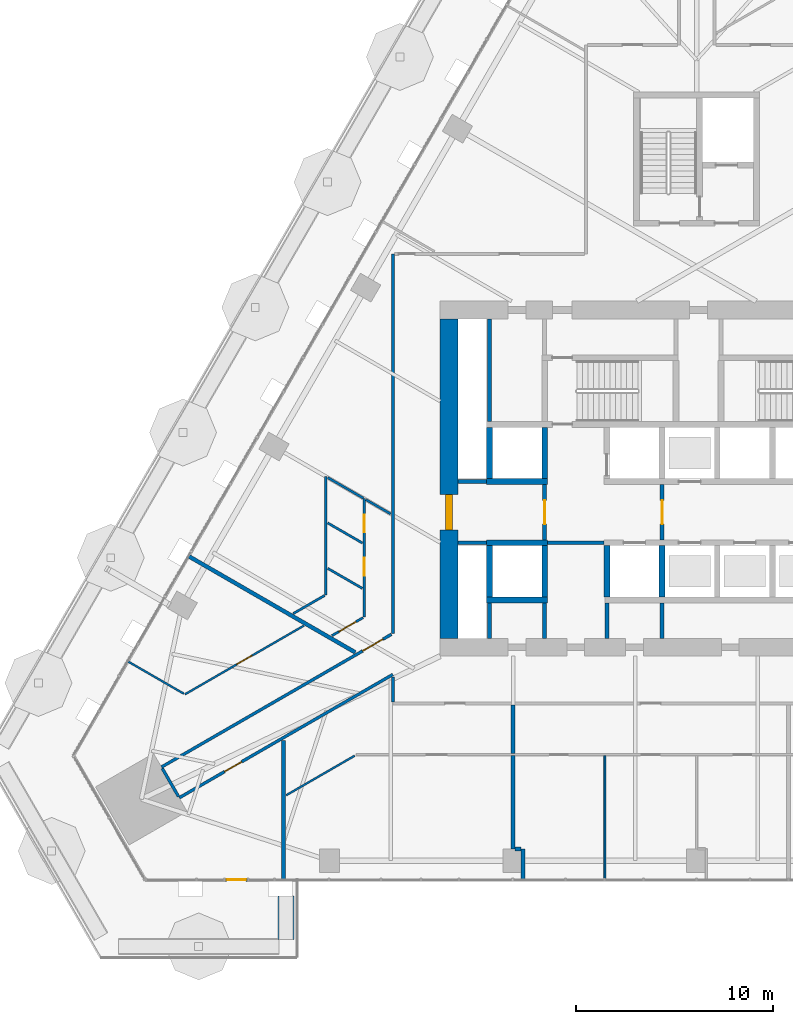
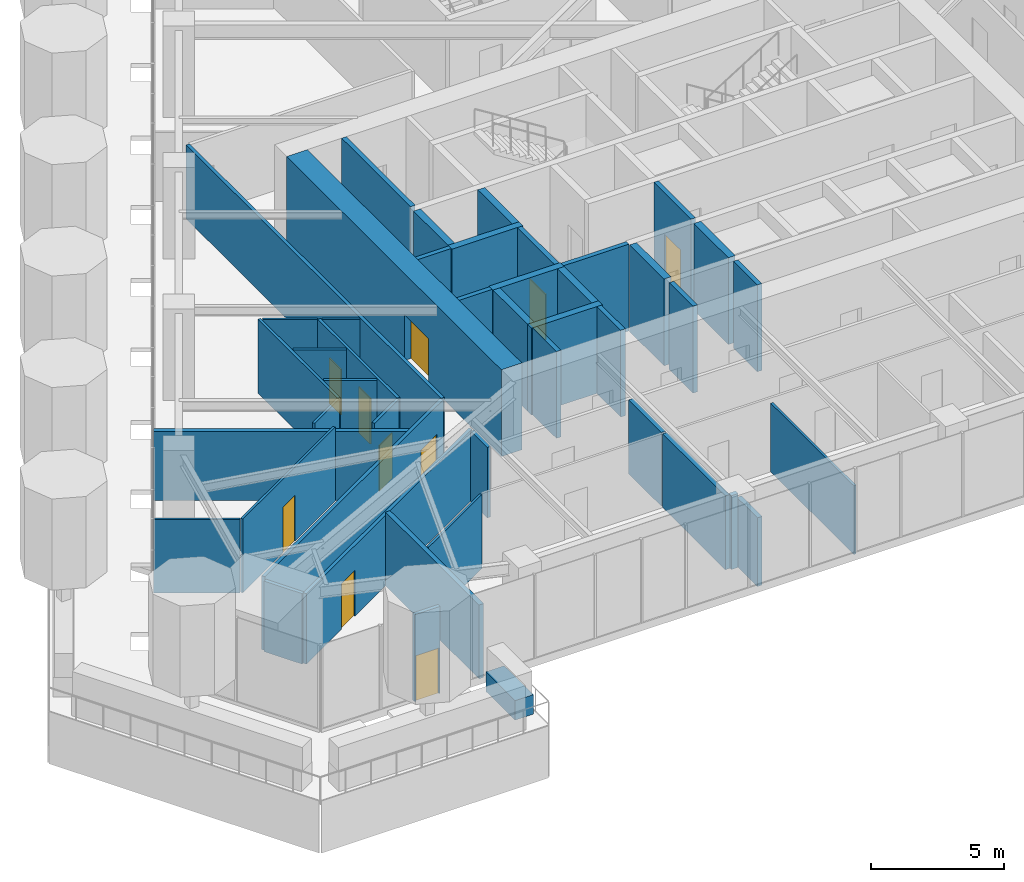
# One storey, part 17 of 25: 45 walls, 10 doors, 10 openings, 1 element without a shape of its own.
"""IFC4 building model written with IfcOpenShell, lengths in metres."""

from ifc_helpers import new_model, si_unit, direction, frame, frame_2d, origin, place, context, subcontext, project, spatial, rectangle, extrude, material, layer, layer_set, type_object, element, fill, aggregate, save


model = new_model("IFC4")

# Units and contexts
model_context = context("Model", 3, precision=1e-05, world=origin(), true_north=direction((0.0, 1.0)))
body_context = subcontext(model_context, "Body", "Model", "MODEL_VIEW")
ifc_project = project(units=[si_unit("LENGTHUNIT", "METRE"), si_unit("AREAUNIT", "SQUARE_METRE"), si_unit("VOLUMEUNIT", "CUBIC_METRE"), si_unit("PLANEANGLEUNIT", "RADIAN"), si_unit("MASSUNIT", "GRAM", prefix="KILO")], contexts=[model_context])

# Site, building, storey
site_placement = place(None, origin())
site = spatial("IfcSite", under=ifc_project, at=site_placement, CompositionType="ELEMENT")
building_placement = place(site_placement, origin())
building = spatial("IfcBuilding", under=site, at=building_placement, Name="Firuza Gate Tower and Library", CompositionType="ELEMENT")
storey_placement = place(building_placement, frame((0.0, 0.0, 119.800048828125)))
storey = spatial("IfcBuildingStorey", under=building, at=storey_placement, Name="L27", CompositionType="ELEMENT", Elevation=119.800048828125)

# Walls
ifc_material_1 = material(Name="Plasterboard on steel studs", Category="steel")
ifc_layer_1 = layer(ifc_material_1, 0.199951171875)
ifc_layer_set_1 = layer_set([ifc_layer_1], Name="Core partition 200 EI 120")
wall_type_1 = type_object("IfcWallType", Name="Core partition 200 EI 120", PredefinedType="PARTITIONING", material=ifc_layer_set_1)
wall_1_placement = place(storey_placement, frame((62.89990234375, 71.75, 0.0), z_axis=(0.0, 0.0, 1.0), x_axis=(1.0, 0.0, 0.0)))
element("IfcWall", 1, at=wall_1_placement, inside=storey, type_object=wall_type_1, Name="Core partition L27 1", PredefinedType="PARTITIONING", context=body_context, shape_type="SweptSolid", body=[
    extrude(rectangle(XDim=1.4501953125, YDim=0.199951171875, at=frame_2d((0.72509765625, 0.0))), origin(), (0.0, 0.0, 1.0), 4.0),
])
wall_2_placement = place(storey_placement, frame((67.449951171875, 71.75, 0.0), z_axis=(0.0, 0.0, 1.0), x_axis=(1.0, 0.0, 0.0)))
element("IfcWall", 2, at=wall_2_placement, inside=storey, type_object=wall_type_1, Name="Core partition L27 2", PredefinedType="PARTITIONING", context=body_context, shape_type="SweptSolid", body=[
    extrude(rectangle(XDim=2.85009765625, YDim=0.199951171875, at=frame_2d((1.425048828125, 0.0))), origin(), (0.0, 0.0, 1.0), 4.0),
])
wall_3_placement = place(storey_placement, frame((62.89990234375, 74.85009765625, 0.0), z_axis=(0.0, 0.0, 1.0), x_axis=(1.0, 0.0, 0.0)))
element("IfcWall", 3, at=wall_3_placement, inside=storey, type_object=wall_type_1, Name="Core partition L27 3", PredefinedType="PARTITIONING", context=body_context, shape_type="SweptSolid", body=[
    extrude(rectangle(XDim=1.4501953125, YDim=0.199951171875, at=frame_2d((0.72509765625, 0.0))), origin(), (0.0, 0.0, 1.0), 4.0),
])
wall_4_placement = place(storey_placement, frame((64.5, 66.89990234375, 0.0), z_axis=(0.0, 0.0, 1.0), x_axis=(0.0, 1.0, 0.0)))
element("IfcWall", 4, at=wall_4_placement, inside=storey, type_object=wall_type_1, Name="Core partition L27 5", PredefinedType="PARTITIONING", context=body_context, shape_type="SweptSolid", body=[
    extrude(rectangle(XDim=1.800048828125, YDim=0.199951171875, at=frame_2d((0.89990234375, 0.0))), origin(), (0.0, 0.0, 1.0), 4.0),
])
wall_5_placement = place(storey_placement, frame((64.5, 77.89990234375, 0.0), z_axis=(0.0, 0.0, 1.0), x_axis=(0.0, 1.0, 0.0)))
element("IfcWall", 5, at=wall_5_placement, inside=storey, type_object=wall_type_1, Name="Core partition L27 6", PredefinedType="PARTITIONING", context=body_context, shape_type="SweptSolid", body=[
    extrude(rectangle(XDim=5.2001953125, YDim=0.199951171875, at=frame_2d((2.60009765625, 0.0))), origin(), (0.0, 0.0, 1.0), 4.0),
])
for number, where, z_axis, x_axis, name in (
    (6, (67.300048828125, 66.89990234375, 0.0), (0.0, 0.0, 1.0), (0.0, 1.0, 0.0), "Core partition L27 7"),
    (7, (70.449951171875, 66.89990234375, 0.0), (0.0, 0.0, 1.0), (0.0, 1.0, 0.0), "Core partition L27 10"),
    (8, (73.25, 66.89990234375, 0.0), (0.0, 0.0, 1.0), (0.0, 1.0, 0.0), "Core partition L27 11"),
):
    element("IfcWall", number, at=place(storey_placement, frame(where, z_axis=z_axis, x_axis=x_axis)), inside=storey, type_object=wall_type_1, Name=name, PredefinedType="PARTITIONING", context=body_context, shape_type="SweptSolid", body=[
        extrude(rectangle(XDim=1.800048828125, YDim=0.199951171875, at=frame_2d((0.89990234375, 0.0))), origin(), (0.0, 0.0, 1.0), 4.0),
    ])

# Wall, opening, door
ifc_material_2 = material(Name="Plasterboard on steel studs", Category="steel")
ifc_layer_2 = layer(ifc_material_2, 0.199951171875)
ifc_layer_set_2 = layer_set([ifc_layer_2], Name="Core partition 200 EI 60")
wall_type_2 = type_object("IfcWallType", Name="Core partition 200 EI 60", PredefinedType="PARTITIONING", material=ifc_layer_set_2)
wall_6_placement = place(storey_placement, frame((67.300048828125, 71.89990234375, 0.0), z_axis=(0.0, 0.0, 1.0), x_axis=(0.0, 1.0, 0.0)))
wall_6 = element("IfcWall", 9, at=wall_6_placement, inside=storey, type_object=wall_type_2, Name="Core partition L27 8", PredefinedType="PARTITIONING", context=body_context, shape_type="SweptSolid", body=[
    extrude(rectangle(XDim=2.800048828125, YDim=0.199951171875, at=frame_2d((1.39990234375, 0.0))), origin(), (0.0, 0.0, 1.0), 4.0),
])
opening_1_placement = place(wall_6_placement, frame((0.800048828125, 0.0, 0.0)))
opening_1 = element("IfcOpeningElement", 10, at=opening_1_placement, cuts=wall_6, Name="Opening L27-K21", PredefinedType="OPENING", context=body_context, shape_type="SweptSolid", body=[
    extrude(rectangle(XDim=1.199951171875, YDim=2.10009765625, at=frame_2d((0.60009765625, 1.050048828125))), frame((0.0, 0.10986328125, 0.0), z_axis=(0.0, -1.0, 0.0), x_axis=(1.0, 0.0, 0.0)), (0.0, 0.0, 1.0), 0.219970703125),
])
ifc_material_3 = material(Name="Steel", Category="steel")
door_type_1 = type_object("IfcDoorType", Name="Fire door 1200x2100 FD90S", OperationType="NOTDEFINED", PredefinedType="DOOR", material=ifc_material_3)
door_1_placement = place(opening_1_placement, origin())
door_1 = element("IfcDoor", 11, at=door_1_placement, inside=storey, type_object=door_type_1, Name="Door L27-K21", OperationType="SINGLE_SWING_RIGHT", OverallHeight=2.10009765625, OverallWidth=1.199951171875, PredefinedType="DOOR", context=body_context, shape_type="SweptSolid", body=[
    extrude(rectangle(XDim=1.199951171875, YDim=2.10009765625, at=frame_2d((0.60009765625, 1.050048828125))), frame((0.0, 0.02490234375, 0.0), z_axis=(0.0, -1.0, 0.0), x_axis=(1.0, 0.0, 0.0)), (0.0, 0.0, 1.0), 0.050048828125),
])
fill(opening_1, door_1)

wall_7_placement = place(storey_placement, frame((73.25, 71.89990234375, 0.0), z_axis=(0.0, 0.0, 1.0), x_axis=(0.0, 1.0, 0.0)))
wall_7 = element("IfcWall", 12, at=wall_7_placement, inside=storey, type_object=wall_type_2, Name="Core partition L27 12", PredefinedType="PARTITIONING", context=body_context, shape_type="SweptSolid", body=[
    extrude(rectangle(XDim=2.800048828125, YDim=0.199951171875, at=frame_2d((1.39990234375, 0.0))), origin(), (0.0, 0.0, 1.0), 4.0),
])
opening_2_placement = place(wall_7_placement, frame((0.800048828125, 0.0, 0.0)))
opening_2 = element("IfcOpeningElement", 13, at=opening_2_placement, cuts=wall_7, Name="Opening L27-K20", PredefinedType="OPENING", context=body_context, shape_type="SweptSolid", body=[
    extrude(rectangle(XDim=1.199951171875, YDim=2.10009765625, at=frame_2d((0.60009765625, 1.050048828125))), frame((0.0, 0.10986328125, 0.0), z_axis=(0.0, -1.0, 0.0), x_axis=(1.0, 0.0, 0.0)), (0.0, 0.0, 1.0), 0.219970703125),
])
door_2_placement = place(opening_2_placement, origin())
door_2 = element("IfcDoor", 14, at=door_2_placement, inside=storey, type_object=door_type_1, Name="Door L27-K20", OperationType="SINGLE_SWING_LEFT", OverallHeight=2.10009765625, OverallWidth=1.199951171875, PredefinedType="DOOR", context=body_context, shape_type="SweptSolid", body=[
    extrude(rectangle(XDim=1.199951171875, YDim=2.10009765625, at=frame_2d((0.60009765625, 1.050048828125))), frame((0.0, 0.02490234375, 0.0), z_axis=(0.0, -1.0, 0.0), x_axis=(1.0, 0.0, 0.0)), (0.0, 0.0, 1.0), 0.050048828125),
])
fill(opening_2, door_2)

# Walls
ifc_material_4 = material(Name="Concrete C80/95", Category="concrete")
ifc_layer_3 = layer(ifc_material_4, 0.300048828125)
ifc_layer_set_3 = layer_set([ifc_layer_3], Name="Core wall 300 C80/95")
wall_type_3 = type_object("IfcWallType", Name="Core wall 300 C80/95", PredefinedType="SHEAR", material=ifc_layer_set_3)
for number, where, z_axis, x_axis, name in (
    (15, (64.35009765625, 68.85009765625, 0.0), (0.0, 0.0, 1.0), (1.0, 0.0, 0.0), "Core wall L27 5"),
    (16, (64.35009765625, 71.75, 0.0), (0.0, 0.0, 1.0), (1.0, 0.0, 0.0), "Core wall L27 7"),
    (17, (64.35009765625, 74.85009765625, 0.0), (0.0, 0.0, 1.0), (1.0, 0.0, 0.0), "Core wall L27 9"),
):
    element("IfcWall", number, at=place(storey_placement, frame(where, z_axis=z_axis, x_axis=x_axis)), inside=storey, type_object=wall_type_3, Name=name, PredefinedType="SHEAR", context=body_context, shape_type="SweptSolid", body=[
        extrude(rectangle(XDim=3.099853515625, YDim=0.300048828125, at=frame_2d((1.5498046875, 0.0))), origin(), (0.0, 0.0, 1.0), 4.0),
    ])
for number, where, z_axis, x_axis, name in (
    (18, (64.5, 69.0, 0.0), (0.0, 0.0, 1.0), (0.0, 1.0, 0.0), "Core wall L27 11"),
    (19, (64.5, 75.0, 0.0), (0.0, 0.0, 1.0), (0.0, 1.0, 0.0), "Core wall L27 12"),
    (20, (67.300048828125, 69.0, 0.0), (0.0, 0.0, 1.0), (0.0, 1.0, 0.0), "Core wall L27 13"),
    (21, (67.300048828125, 75.0, 0.0), (0.0, 0.0, 1.0), (0.0, 1.0, 0.0), "Core wall L27 14"),
    (22, (70.449951171875, 69.0, 0.0), (0.0, 0.0, 1.0), (0.0, 1.0, 0.0), "Core wall L27 15"),
    (23, (73.25, 69.0, 0.0), (0.0, 0.0, 1.0), (0.0, 1.0, 0.0), "Core wall L27 17"),
):
    element("IfcWall", number, at=place(storey_placement, frame(where, z_axis=z_axis, x_axis=x_axis)), inside=storey, type_object=wall_type_3, Name=name, PredefinedType="SHEAR", context=body_context, shape_type="SweptSolid", body=[
        extrude(rectangle(XDim=2.60009765625, YDim=0.300048828125, at=frame_2d((1.300048828125, 0.0))), origin(), (0.0, 0.0, 1.0), 4.0),
    ])

# Wall, opening, door
ifc_material_5 = material(Name="Concrete C80/95", Category="concrete")
ifc_layer_4 = layer(ifc_material_5, 0.89990234375)
ifc_layer_set_4 = layer_set([ifc_layer_4], Name="Core wall 900 C80/95")
wall_type_4 = type_object("IfcWallType", Name="Core wall 900 C80/95", PredefinedType="SHEAR", material=ifc_layer_set_4)
wall_8_placement = place(storey_placement, frame((62.449951171875, 66.89990234375, 0.0), z_axis=(0.0, 0.0, 1.0), x_axis=(0.0, 1.0, 0.0)))
wall_8 = element("IfcWall", 24, at=wall_8_placement, inside=storey, type_object=wall_type_4, Name="Core wall L27 3", PredefinedType="SHEAR", context=body_context, shape_type="SweptSolid", body=[
    extrude(rectangle(XDim=16.2001953125, YDim=0.89990234375, at=frame_2d((8.10009765625, 0.0))), origin(), (0.0, 0.0, 1.0), 4.0),
])
opening_3_placement = place(wall_8_placement, frame((5.5, 0.0, 0.0)))
opening_3 = element("IfcOpeningElement", 25, at=opening_3_placement, cuts=wall_8, Name="Opening L27-K22", PredefinedType="OPENING", context=body_context, shape_type="SweptSolid", body=[
    extrude(rectangle(XDim=1.800048828125, YDim=2.10009765625, at=frame_2d((0.89990234375, 1.050048828125))), frame((0.0, 0.4599609375, 0.0), z_axis=(0.0, -1.0, 0.0), x_axis=(1.0, 0.0, 0.0)), (0.0, 0.0, 1.0), 0.919921875),
])
ifc_material_6 = material(Name="Steel", Category="steel")
door_type_2 = type_object("IfcDoorType", Name="Fire door 1800x2100 FD30S", OperationType="NOTDEFINED", PredefinedType="DOOR", material=ifc_material_6)
door_3_placement = place(opening_3_placement, origin())
door_3 = element("IfcDoor", 26, at=door_3_placement, inside=storey, type_object=door_type_2, Name="Door L27-K22", OperationType="SINGLE_SWING_LEFT", OverallHeight=2.10009765625, OverallWidth=1.800048828125, PredefinedType="DOOR", context=body_context, shape_type="SweptSolid", body=[
    extrude(rectangle(XDim=1.800048828125, YDim=2.10009765625, at=frame_2d((0.89990234375, 1.050048828125))), frame((0.0, 0.169921875, 0.0), z_axis=(0.0, -1.0, 0.0), x_axis=(1.0, 0.0, 0.0)), (0.0, 0.0, 1.0), 0.33984375),
])
fill(opening_3, door_3)

ifc_material_7 = material(Name="Gypsum board partition")
ifc_layer_5 = layer(ifc_material_7, 0.14990234375)
ifc_layer_set_5 = layer_set([ifc_layer_5], Name="Corridor wall 150 double board on steel studs")
wall_type_5 = type_object("IfcWallType", Name="Corridor wall 150 double board on steel studs", PredefinedType="PARTITIONING", material=ifc_layer_set_5)
wall_9_placement = place(storey_placement, frame((48.766357421875, 58.81494140625, 0.0), z_axis=(0.0, 0.0, 1.0), x_axis=(0.866028284225, 0.499995010897, 0.0)))
wall_9 = element("IfcWall", 27, at=wall_9_placement, inside=storey, type_object=wall_type_5, Name="f:L27:w014", PredefinedType="PARTITIONING", context=body_context, shape_type="SweptSolid", body=[
    extrude(rectangle(XDim=12.509521484375, YDim=0.14990234375, at=frame_2d((6.2548828125, 0.0))), origin(), (0.0, 0.0, 1.0), 3.2470703125),
])
opening_4_placement = place(wall_9_placement, frame((2.659912109375, 0.0, 0.0)))
opening_4 = element("IfcOpeningElement", 28, at=opening_4_placement, cuts=wall_9, Name="Opening L27-15", PredefinedType="OPENING", context=body_context, shape_type="SweptSolid", body=[
    extrude(rectangle(XDim=1.0, YDim=2.10009765625, at=frame_2d((0.5, 1.050048828125))), frame((0.0, 0.0849609375, 0.0), z_axis=(0.0, -1.0, 0.0), x_axis=(1.0, 0.0, 0.0)), (0.0, 0.0, 1.0), 0.169921875),
])
ifc_material_8 = material(Name="Steel door and timber leaf", Category="steel")
door_type_3 = type_object("IfcDoorType", Name="Fire door 1000 x 2100 steel frame, timber leaf", OperationType="NOTDEFINED", PredefinedType="DOOR", material=ifc_material_8)
door_4_placement = place(opening_4_placement, origin())
door_4 = element("IfcDoor", 29, at=door_4_placement, inside=storey, type_object=door_type_3, Name="f:L27:d015", OperationType="SINGLE_SWING_RIGHT", OverallHeight=2.10009765625, OverallWidth=1.0, PredefinedType="DOOR", context=body_context, shape_type="SweptSolid", body=[
    extrude(rectangle(XDim=1.0, YDim=2.10009765625, at=frame_2d((0.5, 1.050048828125))), frame((0.0, 0.02490234375, 0.0), z_axis=(0.0, -1.0, 0.0), x_axis=(1.0, 0.0, 0.0)), (0.0, 0.0, 1.0), 0.050048828125),
])
fill(opening_4, door_4)

wall_10_placement = place(storey_placement, frame((47.8662109375, 60.373779296875, 0.0), z_axis=(0.0, 0.0, 1.0), x_axis=(0.866031566243, 0.499989326157, 0.0)))
wall_10 = element("IfcWall", 30, at=wall_10_placement, inside=storey, type_object=wall_type_5, Name="f:L27:w017", PredefinedType="PARTITIONING", context=body_context, shape_type="SweptSolid", body=[
    extrude(rectangle(XDim=13.462158203125, YDim=0.14990234375, at=frame_2d((6.73095703125, 0.0))), origin(), (0.0, 0.0, 1.0), 3.39990234375),
])
opening_5_placement = place(wall_10_placement, frame((11.77392578125, 0.0, 0.0)))
opening_5 = element("IfcOpeningElement", 31, at=opening_5_placement, cuts=wall_10, Name="Opening L27-16", PredefinedType="OPENING", context=body_context, shape_type="SweptSolid", body=[
    extrude(rectangle(XDim=1.199951171875, YDim=2.10009765625, at=frame_2d((0.60009765625, 1.050048828125))), frame((0.0, 0.0849609375, 0.0), z_axis=(0.0, -1.0, 0.0), x_axis=(1.0, 0.0, 0.0)), (0.0, 0.0, 1.0), 0.169921875),
])
ifc_material_9 = material(Name="Steel door and timber leaf", Category="steel")
door_type_4 = type_object("IfcDoorType", Name="Fire door 1200 x 2100 steel frame, double leaf", OperationType="NOTDEFINED", PredefinedType="DOOR", material=ifc_material_9)
door_5_placement = place(opening_5_placement, origin())
door_5 = element("IfcDoor", 32, at=door_5_placement, inside=storey, type_object=door_type_4, Name="f:L27:d016", OperationType="DOUBLE_DOOR_SINGLE_SWING", OverallHeight=2.10009765625, OverallWidth=1.199951171875, PredefinedType="DOOR", context=body_context, shape_type="SweptSolid", body=[
    extrude(rectangle(XDim=1.199951171875, YDim=2.10009765625, at=frame_2d((0.60009765625, 1.050048828125))), frame((0.0, 0.02490234375, 0.0), z_axis=(0.0, -1.0, 0.0), x_axis=(1.0, 0.0, 0.0)), (0.0, 0.0, 1.0), 0.050048828125),
])
fill(opening_5, door_5)

# Walls
wall_11_placement = place(storey_placement, frame((59.60009765625, 63.675048828125, 0.0), z_axis=(0.0, 0.0, 1.0), x_axis=(0.0, 1.0, 0.0)))
element("IfcWall", 33, at=wall_11_placement, inside=storey, type_object=wall_type_5, Name="f:L27:w042", PredefinedType="PARTITIONING", context=body_context, shape_type="SweptSolid", body=[
    extrude(rectangle(XDim=1.2578125, YDim=0.14990234375, at=frame_2d((0.62890625, 0.0))), origin(), (0.0, 0.0, 1.0), 3.2470703125),
])
wall_12_placement = place(storey_placement, frame((59.60009765625, 67.14794921875, 0.0), z_axis=(0.0, 0.0, 1.0), x_axis=(0.0, 1.0, 0.0)))
element("IfcWall", 34, at=wall_12_placement, inside=storey, type_object=wall_type_5, Name="f:L27:w043", PredefinedType="PARTITIONING", context=body_context, shape_type="SweptSolid", body=[
    extrude(rectangle(XDim=19.25146484375, YDim=0.14990234375, at=frame_2d((9.625732421875, 0.0))), origin(), (0.0, 0.0, 1.0), 3.39990234375),
])
wall_13_placement = place(storey_placement, frame((48.728271484375, 58.880126953125, 0.0), z_axis=(0.0, 0.0, 1.0), x_axis=(-0.500008692254, 0.866020385251, 0.0)))
element("IfcWall", 35, at=wall_13_placement, inside=storey, type_object=wall_type_5, Name="f:L27:w050", PredefinedType="PARTITIONING", context=body_context, shape_type="SweptSolid", body=[
    extrude(rectangle(XDim=1.64892578125, YDim=0.14990234375, at=frame_2d((0.824462890625, 0.0))), origin(), (0.0, 0.0, 1.0), 3.2470703125),
])
ifc_material_10 = material(Name="Gypsum board partition")
ifc_layer_6 = layer(ifc_material_10, 0.199951171875)
ifc_layer_set_6 = layer_set([ifc_layer_6], Name="Demising wall 200 acoustic double stud")
wall_type_6 = type_object("IfcWallType", Name="Demising wall 200 acoustic double stud", PredefinedType="PARTITIONING", material=ifc_layer_set_6)
wall_14_placement = place(storey_placement, frame((65.804931640625, 56.22607421875, 0.0), z_axis=(0.0, 0.0, 1.0), x_axis=(1.0, 0.0, 0.0)))
element("IfcWall", 36, at=wall_14_placement, inside=storey, type_object=wall_type_6, Name="f:L27:w000", PredefinedType="PARTITIONING", context=body_context, shape_type="SweptSolid", body=[
    extrude(rectangle(XDim=0.2900390625, YDim=0.199951171875, at=frame_2d((0.14501953125, 0.0))), origin(), (0.0, 0.0, 1.0), 3.39990234375),
])
wall_15_placement = place(storey_placement, frame((66.195068359375, 54.666259765625, 0.0), z_axis=(0.0, 0.0, 1.0), x_axis=(0.0, 1.0, 0.0)))
element("IfcWall", 37, at=wall_15_placement, inside=storey, type_object=wall_type_6, Name="f:L27:w040", PredefinedType="PARTITIONING", context=body_context, shape_type="SweptSolid", body=[
    extrude(rectangle(XDim=1.56005859375, YDim=0.199951171875, at=frame_2d((0.780029296875, 0.0))), origin(), (0.0, 0.0, 1.0), 3.1650390625),
])
wall_16_placement = place(storey_placement, frame((65.695068359375, 56.226318359375, 0.0), z_axis=(0.0, 0.0, 1.0), x_axis=(0.0, 1.0, 0.0)))
element("IfcWall", 38, at=wall_16_placement, inside=storey, type_object=wall_type_6, Name="f:L27:w041", PredefinedType="PARTITIONING", context=body_context, shape_type="SweptSolid", body=[
    extrude(rectangle(XDim=4.7236328125, YDim=0.199951171875, at=frame_2d((2.36181640625, 0.0))), origin(), (0.0, 0.0, 1.0), 3.39990234375),
])
wall_17_placement = place(storey_placement, frame((54.06396484375, 54.666259765625, 0.0), z_axis=(0.0, 0.0, 1.0), x_axis=(0.0, 1.0, 0.0)))
element("IfcWall", 39, at=wall_17_placement, inside=storey, type_object=wall_type_6, Name="f:L27:w046", PredefinedType="PARTITIONING", context=body_context, shape_type="SweptSolid", body=[
    extrude(rectangle(XDim=7.060302734375, YDim=0.199951171875, at=frame_2d((3.5302734375, 0.0))), origin(), (0.0, 0.0, 1.0), 3.39990234375),
])
wall_18_placement = place(storey_placement, frame((57.689208984375, 66.19140625, 0.0), z_axis=(0.0, 0.0, 1.0), x_axis=(-0.866022484486, 0.500005056339, 0.0)))
element("IfcWall", 40, at=wall_18_placement, inside=storey, type_object=wall_type_6, Name="f:L27:w059", PredefinedType="PARTITIONING", context=body_context, shape_type="SweptSolid", body=[
    extrude(rectangle(XDim=9.74658203125, YDim=0.199951171875, at=frame_2d((4.873291015625, 0.0))), origin(), (0.0, 0.0, 1.0), 3.1650390625),
])
wall_19_placement = place(storey_placement, frame((65.695068359375, 61.050048828125, 0.0), z_axis=(0.0, 0.0, 1.0), x_axis=(0.0, 1.0, 0.0)))
element("IfcWall", 41, at=wall_19_placement, inside=storey, type_object=wall_type_6, Name="f:L27:w068", PredefinedType="PARTITIONING", context=body_context, shape_type="SweptSolid", body=[
    extrude(rectangle(XDim=2.474853515625, YDim=0.199951171875, at=frame_2d((1.2373046875, 0.0))), origin(), (0.0, 0.0, 1.0), 3.39990234375),
])
ifc_material_11 = material(Name="Gypsum board partition")
ifc_layer_7 = layer(ifc_material_11, 0.10009765625)
ifc_layer_set_7 = layer_set([ifc_layer_7], Name="Partition 100 gypsum board on steel studs")
wall_type_7 = type_object("IfcWallType", Name="Partition 100 gypsum board on steel studs", PredefinedType="PARTITIONING", material=ifc_layer_set_7)
wall_20_placement = place(storey_placement, frame((54.189453125, 58.94384765625, 0.0), z_axis=(0.0, 0.0, 1.0), x_axis=(0.866025502096, 0.499999829719, 0.0)))
element("IfcWall", 42, at=wall_20_placement, inside=storey, type_object=wall_type_7, Name="f:L27:w012", PredefinedType="PARTITIONING", context=body_context, shape_type="SweptSolid", body=[
    extrude(rectangle(XDim=4.0126953125, YDim=0.10009765625, at=frame_2d((2.00634765625, 0.0))), origin(), (0.0, 0.0, 1.0), 3.39990234375),
])

# Wall, opening, door
wall_21_placement = place(storey_placement, frame((55.090087890625, 67.546630859375, 0.0), z_axis=(0.0, 0.0, 1.0), x_axis=(-0.8660245535, -0.500001472733, 0.0)))
wall_21 = element("IfcWall", 43, at=wall_21_placement, inside=storey, type_object=wall_type_7, Name="f:L27:w019", PredefinedType="PARTITIONING", context=body_context, shape_type="SweptSolid", body=[
    extrude(rectangle(XDim=6.96826171875, YDim=0.10009765625, at=frame_2d((3.484130859375, 0.0))), origin(), (0.0, 0.0, 1.0), 3.39990234375),
])
opening_6_placement = place(wall_21_placement, frame((3.0341796875, 0.0, 0.0)))
opening_6 = element("IfcOpeningElement", 44, at=opening_6_placement, cuts=wall_21, Name="Opening L27-18", PredefinedType="OPENING", context=body_context, shape_type="SweptSolid", body=[
    extrude(rectangle(XDim=0.89990234375, YDim=2.10009765625, at=frame_2d((0.449951171875, 1.050048828125))), frame((0.0, 0.06005859375, 0.0), z_axis=(0.0, -1.0, 0.0), x_axis=(1.0, 0.0, 0.0)), (0.0, 0.0, 1.0), 0.1201171875),
])
ifc_material_12 = material(Name="Timber door", Category="wood")
door_type_5 = type_object("IfcDoorType", Name="Door 900 x 2100 timber leaf", OperationType="NOTDEFINED", PredefinedType="DOOR", material=ifc_material_12)
door_6_placement = place(opening_6_placement, origin())
door_6 = element("IfcDoor", 45, at=door_6_placement, inside=storey, type_object=door_type_5, Name="f:L27:d018", OperationType="SINGLE_SWING_RIGHT", OverallHeight=2.10009765625, OverallWidth=0.89990234375, PredefinedType="DOOR", context=body_context, shape_type="SweptSolid", body=[
    extrude(rectangle(XDim=0.89990234375, YDim=2.10009765625, at=frame_2d((0.449951171875, 1.050048828125))), frame((0.0, 0.02490234375, 0.0), z_axis=(0.0, -1.0, 0.0), x_axis=(1.0, 0.0, 0.0)), (0.0, 0.0, 1.0), 0.050048828125),
])
fill(opening_6, door_6)

# Walls
wall_22_placement = place(storey_placement, frame((70.346923828125, 54.666259765625, 0.0), z_axis=(0.0, 0.0, 1.0), x_axis=(0.0, 1.0, 0.0)))
element("IfcWall", 46, at=wall_22_placement, inside=storey, type_object=wall_type_7, Name="f:L27:w038", PredefinedType="PARTITIONING", context=body_context, shape_type="SweptSolid", body=[
    extrude(rectangle(XDim=6.28369140625, YDim=0.10009765625, at=frame_2d((3.141845703125, 0.0))), origin(), (0.0, 0.0, 1.0), 3.1650390625),
])
wall_23_placement = place(storey_placement, frame((49.005126953125, 64.0908203125, 0.0), z_axis=(0.0, 0.0, 1.0), x_axis=(-0.866005637992, 0.500034233794, 0.0)))
element("IfcWall", 47, at=wall_23_placement, inside=storey, type_object=wall_type_7, Name="f:L27:w060", PredefinedType="PARTITIONING", context=body_context, shape_type="SweptSolid", body=[
    extrude(rectangle(XDim=3.276123046875, YDim=0.10009765625, at=frame_2d((1.63818359375, 0.0))), origin(), (0.0, 0.0, 1.0), 3.39990234375),
])
ifc_material_13 = material(Name="Concrete C40/50", Category="concrete")
ifc_layer_8 = layer(ifc_material_13, 0.800048828125)
ifc_layer_set_8 = layer_set([ifc_layer_8], Name="Planter wall 800")
wall_type_8 = type_object("IfcWallType", Name="Planter wall 800", PredefinedType="SOLIDWALL", material=ifc_layer_set_8)
wall_24_placement = place(storey_placement, frame((54.17626953125, 51.626220703125, 0.0), z_axis=(0.0, 0.0, 1.0), x_axis=(0.0, 1.0, 0.0)))
element("IfcWall", 48, at=wall_24_placement, inside=storey, type_object=wall_type_8, Name="PLANTER L27 7", PredefinedType="SOLIDWALL", context=body_context, shape_type="SweptSolid", body=[
    extrude(rectangle(XDim=2.199951171875, YDim=0.800048828125, at=frame_2d((1.10009765625, 0.0))), origin(), (0.0, 0.0, 1.0), 0.89990234375),
])

# Curtain wall, wall, opening, door
ifc_material_14 = material(Name="Aluminium 6063-T6", Category="aluminium")
ifc_layer_9 = layer(ifc_material_14, 0.14990234375)
ifc_layer_set_9 = layer_set([ifc_layer_9], Name="Unitised curtain wall, offices")
curtain_wall_type = type_object("IfcCurtainWallType", Name="Unitised curtain wall, offices", PredefinedType="NOTDEFINED", material=ifc_layer_set_9)
curtain_wall_placement = place(storey_placement, origin())
curtain_wall = element("IfcCurtainWall", 49, at=curtain_wall_placement, inside=storey, type_object=curtain_wall_type, Name="CW1 L27 S face", PredefinedType="NOTDEFINED")
ifc_material_15 = material(Name="Aluminium 6063-T6", Category="aluminium")
ifc_layer_10 = layer(ifc_material_15, 0.14990234375)
ifc_layer_set_10 = layer_set([ifc_layer_10], Name="Terrace door wall 150")
wall_type_9 = type_object("IfcWallType", Name="Terrace door wall 150", PredefinedType="SOLIDWALL", material=ifc_layer_set_10)
wall_25_placement = place(storey_placement, frame((51.1015625, 54.6513671875, 0.0), z_axis=(0.0, 0.0, 1.0), x_axis=(1.0, 0.0, 0.0)))
wall_25 = element("IfcWall", 50, at=wall_25_placement, type_object=wall_type_9, Name="Terrace door wall", PredefinedType="SOLIDWALL", context=body_context, shape_type="SweptSolid", body=[
    extrude(rectangle(XDim=1.119873046875, YDim=0.14990234375, at=frame_2d((0.56005859375, 0.0))), origin(), (0.0, 0.0, 1.0), 4.0),
])
opening_7_placement = place(wall_25_placement, frame((0.06005859375, 0.0, 0.0)))
opening_7 = element("IfcOpeningElement", 51, at=opening_7_placement, cuts=wall_25, Name="Opening DR6", PredefinedType="OPENING", context=body_context, shape_type="SweptSolid", body=[
    extrude(rectangle(XDim=1.0, YDim=2.10009765625, at=frame_2d((0.5, 1.050048828125))), frame((0.0, 0.0849609375, 0.0), z_axis=(0.0, -1.0, 0.0), x_axis=(1.0, 0.0, 0.0)), (0.0, 0.0, 1.0), 0.169921875),
])
ifc_material_16 = material(Name="Aluminium 6063-T6 and glass", Category="aluminium")
door_type_6 = type_object("IfcDoorType", Name="Terrace door 1000x2100", OperationType="NOTDEFINED", PredefinedType="DOOR", material=ifc_material_16)
door_7_placement = place(opening_7_placement, origin())
door_7 = element("IfcDoor", 52, at=door_7_placement, inside=storey, type_object=door_type_6, Name="Terrace door", OperationType="SINGLE_SWING_RIGHT", OverallHeight=2.10009765625, OverallWidth=1.0, PredefinedType="DOOR", context=body_context, shape_type="SweptSolid", body=[
    extrude(rectangle(XDim=1.0, YDim=2.10009765625, at=frame_2d((0.5, 1.050048828125))), frame((0.0, 0.02490234375, 0.0), z_axis=(0.0, -1.0, 0.0), x_axis=(1.0, 0.0, 0.0)), (0.0, 0.0, 1.0), 0.050048828125),
])
fill(opening_7, door_7)
aggregate(curtain_wall, [wall_25])

# Wall, opening, door
ifc_material_17 = material(Name="Gypsum board partition")
ifc_layer_11 = layer(ifc_material_17, 0.1201171875)
ifc_layer_set_11 = layer_set([ifc_layer_11], Name="Wet-area partition 120 moisture-resistant board")
wall_type_10 = type_object("IfcWallType", Name="Wet-area partition 120 moisture-resistant board", PredefinedType="PARTITIONING", material=ifc_layer_set_11)
wall_26_placement = place(storey_placement, frame((56.500732421875, 67.033203125, 0.0), z_axis=(0.0, 0.0, 1.0), x_axis=(0.866023842607, 0.500002704028, 0.0)))
wall_26 = element("IfcWall", 53, at=wall_26_placement, inside=storey, type_object=wall_type_10, Name="f:L27:w018", PredefinedType="PARTITIONING", context=body_context, shape_type="SweptSolid", body=[
    extrude(rectangle(XDim=1.8349609375, YDim=0.1201171875, at=frame_2d((0.91748046875, 0.0))), origin(), (0.0, 0.0, 1.0), 3.39990234375),
])
opening_8_placement = place(wall_26_placement, frame((0.41748046875, 0.0, 0.0)))
opening_8 = element("IfcOpeningElement", 54, at=opening_8_placement, cuts=wall_26, Name="Opening L27-17", PredefinedType="OPENING", context=body_context, shape_type="SweptSolid", body=[
    extrude(rectangle(XDim=1.0, YDim=2.10009765625, at=frame_2d((0.5, 1.050048828125))), frame((0.0, 0.070068359375, 0.0), z_axis=(0.0, -1.0, 0.0), x_axis=(1.0, 0.0, 0.0)), (0.0, 0.0, 1.0), 0.14013671875),
])
ifc_material_18 = material(Name="Timber door", Category="wood")
door_type_7 = type_object("IfcDoorType", Name="Door 1000 x 2100 timber leaf", OperationType="NOTDEFINED", PredefinedType="DOOR", material=ifc_material_18)
door_8_placement = place(opening_8_placement, origin())
door_8 = element("IfcDoor", 55, at=door_8_placement, inside=storey, type_object=door_type_7, Name="f:L27:d017", OperationType="SINGLE_SWING_LEFT", OverallHeight=2.10009765625, OverallWidth=1.0, PredefinedType="DOOR", context=body_context, shape_type="SweptSolid", body=[
    extrude(rectangle(XDim=1.0, YDim=2.10009765625, at=frame_2d((0.5, 1.050048828125))), frame((0.0, 0.02490234375, 0.0), z_axis=(0.0, -1.0, 0.0), x_axis=(1.0, 0.0, 0.0)), (0.0, 0.0, 1.0), 0.050048828125),
])
fill(opening_8, door_8)

# Wall
wall_27_placement = place(storey_placement, frame((54.55078125, 68.158935546875, 0.0), z_axis=(0.0, 0.0, 1.0), x_axis=(0.866023842607, 0.500002704028, 0.0)))
element("IfcWall", 56, at=wall_27_placement, inside=storey, type_object=wall_type_10, Name="f:L27:w020", PredefinedType="PARTITIONING", context=body_context, shape_type="SweptSolid", body=[
    extrude(rectangle(XDim=1.8349609375, YDim=0.1201171875, at=frame_2d((0.91748046875, 0.0))), origin(), (0.0, 0.0, 1.0), 3.39990234375),
])

# Wall, openings, doors
wall_28_placement = place(storey_placement, frame((58.14990234375, 73.98388671875, 0.0), z_axis=(0.0, 0.0, 1.0), x_axis=(0.0, -1.0, 0.0)))
wall_28 = element("IfcWall", 57, at=wall_28_placement, inside=storey, type_object=wall_type_10, Name="f:L27:w044", PredefinedType="PARTITIONING", context=body_context, shape_type="SweptSolid", body=[
    extrude(rectangle(XDim=5.998779296875, YDim=0.1201171875, at=frame_2d((2.99951171875, 0.0))), origin(), (0.0, 0.0, 1.0), 3.39990234375),
])
opening_9_placement = place(wall_28_placement, frame((0.802734375, 0.0, 0.0)))
opening_9 = element("IfcOpeningElement", 58, at=opening_9_placement, cuts=wall_28, Name="Opening L27-25", PredefinedType="OPENING", context=body_context, shape_type="SweptSolid", body=[
    extrude(rectangle(XDim=0.89990234375, YDim=2.10009765625, at=frame_2d((0.449951171875, 1.050048828125))), frame((0.0, 0.070068359375, 0.0), z_axis=(0.0, -1.0, 0.0), x_axis=(1.0, 0.0, 0.0)), (0.0, 0.0, 1.0), 0.14013671875),
])
opening_10_placement = place(wall_28_placement, frame((3.00341796875, 0.0, 0.0)))
opening_10 = element("IfcOpeningElement", 59, at=opening_10_placement, cuts=wall_28, Name="Opening L27-26", PredefinedType="OPENING", context=body_context, shape_type="SweptSolid", body=[
    extrude(rectangle(XDim=0.89990234375, YDim=2.10009765625, at=frame_2d((0.449951171875, 1.050048828125))), frame((0.0, 0.070068359375, 0.0), z_axis=(0.0, -1.0, 0.0), x_axis=(1.0, 0.0, 0.0)), (0.0, 0.0, 1.0), 0.14013671875),
])
door_9_placement = place(opening_9_placement, origin())
door_9 = element("IfcDoor", 60, at=door_9_placement, inside=storey, type_object=door_type_5, Name="f:L27:d025", OperationType="SINGLE_SWING_RIGHT", OverallHeight=2.10009765625, OverallWidth=0.89990234375, PredefinedType="DOOR", context=body_context, shape_type="SweptSolid", body=[
    extrude(rectangle(XDim=0.89990234375, YDim=2.10009765625, at=frame_2d((0.449951171875, 1.050048828125))), frame((0.0, 0.02490234375, 0.0), z_axis=(0.0, -1.0, 0.0), x_axis=(1.0, 0.0, 0.0)), (0.0, 0.0, 1.0), 0.050048828125),
])
fill(opening_9, door_9)
door_10_placement = place(opening_10_placement, origin())
door_10 = element("IfcDoor", 61, at=door_10_placement, inside=storey, type_object=door_type_5, Name="f:L27:d026", OperationType="SINGLE_SWING_LEFT", OverallHeight=2.10009765625, OverallWidth=0.89990234375, PredefinedType="DOOR", context=body_context, shape_type="SweptSolid", body=[
    extrude(rectangle(XDim=0.89990234375, YDim=2.10009765625, at=frame_2d((0.449951171875, 1.050048828125))), frame((0.0, 0.02490234375, 0.0), z_axis=(0.0, -1.0, 0.0), x_axis=(1.0, 0.0, 0.0)), (0.0, 0.0, 1.0), 0.050048828125),
])
fill(opening_10, door_10)

# Walls
wall_29_placement = place(storey_placement, frame((56.199951171875, 69.111083984375, 0.0), z_axis=(0.0, 0.0, 1.0), x_axis=(0.0, 1.0, 0.0)))
element("IfcWall", 62, at=wall_29_placement, inside=storey, type_object=wall_type_10, Name="f:L27:w045", PredefinedType="PARTITIONING", context=body_context, shape_type="SweptSolid", body=[
    extrude(rectangle(XDim=5.99853515625, YDim=0.1201171875, at=frame_2d((2.999267578125, 0.0))), origin(), (0.0, 0.0, 1.0), 3.39990234375),
])
wall_30_placement = place(storey_placement, frame((59.490478515625, 73.2099609375, 0.0), z_axis=(0.0, 0.0, 1.0), x_axis=(-0.86596595808, 0.500102948848, 0.0)))
element("IfcWall", 63, at=wall_30_placement, inside=storey, type_object=wall_type_10, Name="f:L27:w056", PredefinedType="PARTITIONING", context=body_context, shape_type="SweptSolid", body=[
    extrude(rectangle(XDim=1.444091796875, YDim=0.1201171875, at=frame_2d((0.72216796875, 0.0))), origin(), (0.0, 0.0, 1.0), 3.39990234375),
])
for number, where, z_axis, x_axis, name in (
    (64, (58.055419921875, 71.736083984375, 0.0), (0.0, 0.0, 1.0), (-0.866017611601, 0.500013496215, 0.0), "f:L27:w057"),
    (65, (58.055419921875, 69.43359375, 0.0), (0.0, 0.0, 1.0), (-0.866017611601, 0.500013496215, 0.0), "f:L27:w058"),
):
    element("IfcWall", number, at=place(storey_placement, frame(where, z_axis=z_axis, x_axis=x_axis)), inside=storey, type_object=wall_type_10, Name=name, PredefinedType="PARTITIONING", context=body_context, shape_type="SweptSolid", body=[
        extrude(rectangle(XDim=2.033203125, YDim=0.1201171875, at=frame_2d((1.0166015625, 0.0))), origin(), (0.0, 0.0, 1.0), 3.39990234375),
    ])
wall_31_placement = place(storey_placement, frame((58.10498046875, 74.010009765625, 0.0), z_axis=(0.0, 0.0, 1.0), x_axis=(-0.866028046028, 0.499995423472, 0.0)))
element("IfcWall", 66, at=wall_31_placement, inside=storey, type_object=wall_type_10, Name="f:L27:w066", PredefinedType="PARTITIONING", context=body_context, shape_type="SweptSolid", body=[
    extrude(rectangle(XDim=2.09033203125, YDim=0.1201171875, at=frame_2d((1.045166015625, 0.0))), origin(), (0.0, 0.0, 1.0), 3.39990234375),
])

save(model, "model.ifc")
